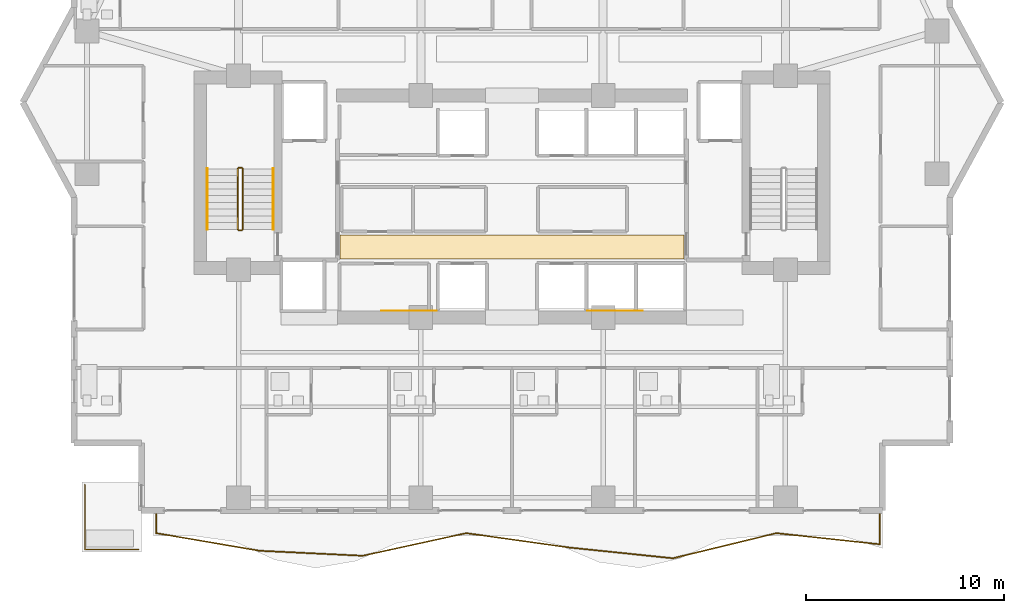
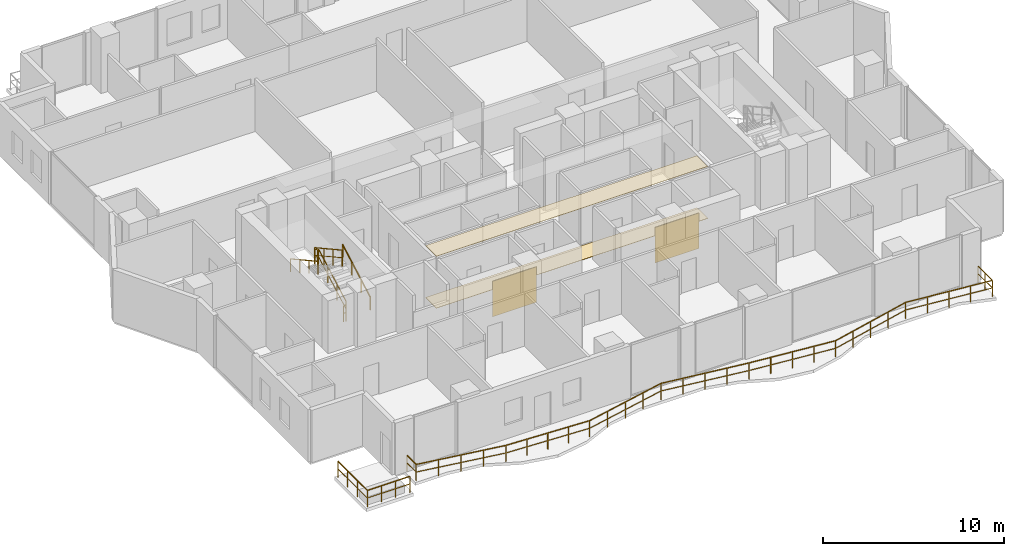
# One storey, part 29 of 32: 8 railings, 4 coverings.
"""IFC4 building model written with IfcOpenShell, lengths in metres."""

from ifc_helpers import new_model, si_unit, direction, frame, origin, origin_2d, place, context, subcontext, project, spatial, polyline, rectangle, outline, extrude, material, layer, layer_set, type_object, element, save


model = new_model("IFC4")

# Units and contexts
model_context = context("Model", 3, precision=1e-05, world=origin(), true_north=direction((0.0, 1.0)))
body_context = subcontext(model_context, "Body", "Model", "MODEL_VIEW")
ifc_project = project(units=[si_unit("LENGTHUNIT", "METRE"), si_unit("AREAUNIT", "SQUARE_METRE"), si_unit("VOLUMEUNIT", "CUBIC_METRE"), si_unit("PLANEANGLEUNIT", "RADIAN"), si_unit("MASSUNIT", "GRAM", prefix="KILO")], contexts=[model_context])

# Site, building, storey
site_placement = place(None, origin())
site = spatial("IfcSite", under=ifc_project, at=site_placement, CompositionType="ELEMENT")
building_placement = place(site_placement, origin())
building = spatial("IfcBuilding", under=site, at=building_placement, Name="Zuhayl Quay Hotel", CompositionType="ELEMENT")
storey_placement = place(building_placement, frame((0.0, 0.0, 188.64990234375)))
storey = spatial("IfcBuildingStorey", under=building, at=storey_placement, Name="L47", CompositionType="ELEMENT", Elevation=188.64990234375)

# Coverings
ifc_material_1 = material(Name="Acoustic Mineral-Fibre Gypsum Board")
ifc_layer_1 = layer(ifc_material_1, 0.02490234375, Name="Acoustic Mineral-Fibre Gypsum Board")
ifc_layer_set_1 = layer_set([ifc_layer_1], Name="Acoustic Mineral-Fibre Gypsum Board")
covering_type_1 = type_object("IfcCoveringType", Name="CV_CEIL_ACOUSTIC", PredefinedType="CEILING", material=ifc_layer_set_1)
covering_1_placement = place(storey_placement, frame((0.0, 0.0, 3.505126953125)))
element("IfcCovering", 1, at=covering_1_placement, inside=storey, type_object=covering_type_1, Name="L47 Suspended Acoustic Lobby Ceiling S", PredefinedType="CEILING", context=body_context, shape_type="SweptSolid", body=[
    extrude(outline(polyline([(-8.679931640625, 5.10009765625), (8.679931640625, 5.10009765625), (8.679931640625, 6.300048828125), (-8.679931640625, 6.300048828125), (-8.679931640625, 5.10009765625)])), origin(), (0.0, 0.0, 1.0), 0.02490234375),
])
ifc_material_2 = material(Name="Polished Limestone Terrazzo", Category="masonry")
ifc_layer_2 = layer(ifc_material_2, 0.02001953125, Name="Polished Limestone Terrazzo", Category="masonry")
ifc_layer_set_2 = layer_set([ifc_layer_2], Name="Polished Limestone Terrazzo")
covering_type_2 = type_object("IfcCoveringType", Name="CV_FLOOR_TERRAZZO", PredefinedType="FLOORING", material=ifc_layer_set_2)
covering_2_placement = place(storey_placement, origin())
element("IfcCovering", 2, at=covering_2_placement, inside=storey, type_object=covering_type_2, Name="L47 Honed Limestone Terrazzo Lobby Flooring S", PredefinedType="FLOORING", context=body_context, shape_type="SweptSolid", body=[
    extrude(outline(polyline([(-8.679931640625, 5.10009765625), (8.679931640625, 5.10009765625), (8.679931640625, 6.300048828125), (-8.679931640625, 6.300048828125), (-8.679931640625, 5.10009765625)])), origin(), (0.0, 0.0, 1.0), 0.02001953125),
])
ifc_material_3 = material(Name="Acoustic Walnut Feature Timber", Category="wood")
ifc_layer_3 = layer(ifc_material_3, 0.02197265625, Name="Acoustic Walnut Feature Timber", Category="wood")
ifc_layer_set_3 = layer_set([ifc_layer_3], Name="Acoustic Walnut Feature Timber")
covering_type_3 = type_object("IfcCoveringType", Name="CV_WALL_CLAD", PredefinedType="CLADDING", material=ifc_layer_set_3)
for number, where, z_axis, x_axis, name in (
    (3, (-5.199951171875, 2.486083984375, 0.300048828125), (0.0, 0.0, 1.0), (1.0, 0.0, 0.0), "L47 Feature Lobby Walnut Wall Cladding W"),
    (4, (5.199951171875, 2.486083984375, 0.300048828125), (0.0, 0.0, 1.0), (1.0, 0.0, 0.0), "L47 Feature Lobby Walnut Wall Cladding E"),
):
    element("IfcCovering", number, at=place(storey_placement, frame(where, z_axis=z_axis, x_axis=x_axis)), inside=storey, type_object=covering_type_3, Name=name, PredefinedType="CLADDING", context=body_context, shape_type="SweptSolid", body=[
        extrude(rectangle(XDim=2.800048828125, YDim=0.02197265625, at=origin_2d()), origin(), (0.0, 0.0, 1.0), 2.39990234375),
    ])

# Railings
ifc_material_4 = material(Name="Anodised Aluminium and Laminated Glass", Category="aluminium")
railing_type_1 = type_object("IfcRailingType", Name="RL_EXT_BAL_1100", PredefinedType="BALUSTRADE", material=ifc_material_4)
railing_1_placement = place(storey_placement, frame((-17.9599609375, -7.719970703125, 0.0)))
element("IfcRailing", 5, at=railing_1_placement, inside=storey, type_object=railing_type_1, Name="L47 Balcony and Terrace Guard GR_L47_BAL_S", PredefinedType="BALUSTRADE", context=body_context, shape_type="SweptSolid", body=[
    extrude(rectangle(XDim=0.048095703125, YDim=0.048095703125, at=origin_2d()), frame((0.0, 0.0, 1.09619140625), z_axis=(0.0, -1.0, 0.0), x_axis=(1.0, 0.0, 0.0)), (0.0, 0.0, 1.0), 1.02001953125),
    extrude(rectangle(XDim=0.0361328125, YDim=0.0361328125, at=origin_2d()), frame((0.0, 0.0, 0.58251953125), z_axis=(0.0, -1.0, 0.0), x_axis=(1.0, 0.0, 0.0)), (0.0, 0.0, 1.0), 1.02001953125),
    extrude(rectangle(XDim=0.048095703125, YDim=0.048095703125, at=origin_2d()), frame((0.0, -1.02001953125, 1.09619140625), z_axis=(0.985785102326, -0.168011106869, 0.0), x_axis=(0.168011106869, 0.985785102326, 0.0)), (0.0, 0.0, 1.0), 5.292236328125),
    extrude(rectangle(XDim=0.0361328125, YDim=0.0361328125, at=origin_2d()), frame((0.0, -1.02001953125, 0.58251953125), z_axis=(0.985785102326, -0.168011106869, 0.0), x_axis=(0.168011106869, 0.985785102326, 0.0)), (0.0, 0.0, 1.0), 5.292236328125),
    extrude(rectangle(XDim=0.048095703125, YDim=0.048095703125, at=origin_2d()), frame((5.217041015625, -1.9091796875, 1.09619140625), z_axis=(0.998838227879, -0.048189153624, 0.0), x_axis=(0.048189153624, 0.998838227879, 0.0)), (0.0, 0.0, 1.0), 5.223388671875),
    extrude(rectangle(XDim=0.0361328125, YDim=0.0361328125, at=origin_2d()), frame((5.217041015625, -1.9091796875, 0.58251953125), z_axis=(0.998838227879, -0.048189153624, 0.0), x_axis=(0.048189153624, 0.998838227879, 0.0)), (0.0, 0.0, 1.0), 5.223388671875),
    extrude(rectangle(XDim=0.048095703125, YDim=0.048095703125, at=origin_2d()), frame((10.434326171875, -2.160888671875, 1.09619140625), z_axis=(0.976914032722, 0.213632798676, 0.0), x_axis=(-0.213632798676, 0.976914032722, 0.0)), (0.0, 0.0, 1.0), 5.34033203125),
    extrude(rectangle(XDim=0.0361328125, YDim=0.0361328125, at=origin_2d()), frame((10.434326171875, -2.160888671875, 0.58251953125), z_axis=(0.976914032722, 0.213632798676, 0.0), x_axis=(-0.213632798676, 0.976914032722, 0.0)), (0.0, 0.0, 1.0), 5.34033203125),
    extrude(rectangle(XDim=0.048095703125, YDim=0.048095703125, at=origin_2d()), frame((15.6513671875, -1.02001953125, 1.09619140625), z_axis=(0.990378619791, -0.138384209579, 0.0), x_axis=(0.138384209579, 0.990378619791, 0.0)), (0.0, 0.0, 1.0), 5.26806640625),
    extrude(rectangle(XDim=0.0361328125, YDim=0.0361328125, at=origin_2d()), frame((15.6513671875, -1.02001953125, 0.58251953125), z_axis=(0.990378619791, -0.138384209579, 0.0), x_axis=(0.138384209579, 0.990378619791, 0.0)), (0.0, 0.0, 1.0), 5.26806640625),
    extrude(rectangle(XDim=0.048095703125, YDim=0.048095703125, at=origin_2d()), frame((20.86865234375, -1.7490234375, 1.09619140625), z_axis=(0.994704108471, -0.102780039848, 0.0), x_axis=(0.102780039848, 0.994704108471, 0.0)), (0.0, 0.0, 1.0), 5.244873046875),
    extrude(rectangle(XDim=0.0361328125, YDim=0.0361328125, at=origin_2d()), frame((20.86865234375, -1.7490234375, 0.58251953125), z_axis=(0.994704108471, -0.102780039848, 0.0), x_axis=(0.102780039848, 0.994704108471, 0.0)), (0.0, 0.0, 1.0), 5.244873046875),
    extrude(rectangle(XDim=0.048095703125, YDim=0.048095703125, at=origin_2d()), frame((26.085693359375, -2.2880859375, 1.09619140625), z_axis=(0.971710486482, 0.236175211361, 0.0), x_axis=(-0.236175211361, 0.971710486482, 0.0)), (0.0, 0.0, 1.0), 5.369140625),
    extrude(rectangle(XDim=0.0361328125, YDim=0.0361328125, at=origin_2d()), frame((26.085693359375, -2.2880859375, 0.58251953125), z_axis=(0.971710486482, 0.236175211361, 0.0), x_axis=(-0.236175211361, 0.971710486482, 0.0)), (0.0, 0.0, 1.0), 5.369140625),
    extrude(rectangle(XDim=0.048095703125, YDim=0.048095703125, at=origin_2d()), frame((31.302978515625, -1.02001953125, 1.09619140625), z_axis=(0.99424260237, -0.107152450431, 0.0), x_axis=(0.107152450431, 0.99424260237, 0.0)), (0.0, 0.0, 1.0), 5.247314453125),
    extrude(rectangle(XDim=0.0361328125, YDim=0.0361328125, at=origin_2d()), frame((31.302978515625, -1.02001953125, 0.58251953125), z_axis=(0.99424260237, -0.107152450431, 0.0), x_axis=(0.107152450431, 0.99424260237, 0.0)), (0.0, 0.0, 1.0), 5.247314453125),
    extrude(rectangle(XDim=0.048095703125, YDim=0.048095703125, at=origin_2d()), frame((36.52001953125, -1.582275390625, 1.09619140625), z_axis=(0.0, 1.0, 0.0), x_axis=(-1.0, 0.0, 0.0)), (0.0, 0.0, 1.0), 1.582275390625),
    extrude(rectangle(XDim=0.0361328125, YDim=0.0361328125, at=origin_2d()), frame((36.52001953125, -1.582275390625, 0.58251953125), z_axis=(0.0, 1.0, 0.0), x_axis=(-1.0, 0.0, 0.0)), (0.0, 0.0, 1.0), 1.582275390625),
    extrude(rectangle(XDim=0.0419921875, YDim=0.0419921875, at=origin_2d()), origin(), (0.0, 0.0, 1.0), 1.072021484375),
    extrude(rectangle(XDim=0.0419921875, YDim=0.0419921875, at=origin_2d()), frame((0.0, -1.02001953125, 0.0)), (0.0, 0.0, 1.0), 1.072021484375),
    extrude(rectangle(XDim=0.0419921875, YDim=0.0419921875, at=origin_2d()), frame((1.30419921875, -1.2421875, 0.0)), (0.0, 0.0, 1.0), 1.072021484375),
    extrude(rectangle(XDim=0.0419921875, YDim=0.0419921875, at=origin_2d()), frame((2.6083984375, -1.464599609375, 0.0)), (0.0, 0.0, 1.0), 1.072021484375),
    extrude(rectangle(XDim=0.0419921875, YDim=0.0419921875, at=origin_2d()), frame((3.912841796875, -1.68701171875, 0.0)), (0.0, 0.0, 1.0), 1.072021484375),
    extrude(rectangle(XDim=0.0419921875, YDim=0.0419921875, at=origin_2d()), frame((5.217041015625, -1.9091796875, 0.0)), (0.0, 0.0, 1.0), 1.072021484375),
    extrude(rectangle(XDim=0.0419921875, YDim=0.0419921875, at=origin_2d()), frame((6.521484375, -1.97216796875, 0.0)), (0.0, 0.0, 1.0), 1.072021484375),
    extrude(rectangle(XDim=0.0419921875, YDim=0.0419921875, at=origin_2d()), frame((7.82568359375, -2.03515625, 0.0)), (0.0, 0.0, 1.0), 1.072021484375),
    extrude(rectangle(XDim=0.0419921875, YDim=0.0419921875, at=origin_2d()), frame((9.1298828125, -2.097900390625, 0.0)), (0.0, 0.0, 1.0), 1.072021484375),
    extrude(rectangle(XDim=0.0419921875, YDim=0.0419921875, at=origin_2d()), frame((10.434326171875, -2.160888671875, 0.0)), (0.0, 0.0, 1.0), 1.072021484375),
    extrude(rectangle(XDim=0.0419921875, YDim=0.0419921875, at=origin_2d()), frame((11.738525390625, -1.875732421875, 0.0)), (0.0, 0.0, 1.0), 1.072021484375),
    extrude(rectangle(XDim=0.0419921875, YDim=0.0419921875, at=origin_2d()), frame((13.04296875, -1.59033203125, 0.0)), (0.0, 0.0, 1.0), 1.072021484375),
    extrude(rectangle(XDim=0.0419921875, YDim=0.0419921875, at=origin_2d()), frame((14.34716796875, -1.30517578125, 0.0)), (0.0, 0.0, 1.0), 1.072021484375),
    extrude(rectangle(XDim=0.0419921875, YDim=0.0419921875, at=origin_2d()), frame((15.6513671875, -1.02001953125, 0.0)), (0.0, 0.0, 1.0), 1.072021484375),
    extrude(rectangle(XDim=0.0419921875, YDim=0.0419921875, at=origin_2d()), frame((16.95556640625, -1.2021484375, 0.0)), (0.0, 0.0, 1.0), 1.072021484375),
    extrude(rectangle(XDim=0.0419921875, YDim=0.0419921875, at=origin_2d()), frame((18.260009765625, -1.384521484375, 0.0)), (0.0, 0.0, 1.0), 1.072021484375),
    extrude(rectangle(XDim=0.0419921875, YDim=0.0419921875, at=origin_2d()), frame((19.564453125, -1.56689453125, 0.0)), (0.0, 0.0, 1.0), 1.072021484375),
    extrude(rectangle(XDim=0.0419921875, YDim=0.0419921875, at=origin_2d()), frame((20.86865234375, -1.7490234375, 0.0)), (0.0, 0.0, 1.0), 1.072021484375),
    extrude(rectangle(XDim=0.0419921875, YDim=0.0419921875, at=origin_2d()), frame((22.1728515625, -1.8837890625, 0.0)), (0.0, 0.0, 1.0), 1.072021484375),
    extrude(rectangle(XDim=0.0419921875, YDim=0.0419921875, at=origin_2d()), frame((23.47705078125, -2.0185546875, 0.0)), (0.0, 0.0, 1.0), 1.072021484375),
    extrude(rectangle(XDim=0.0419921875, YDim=0.0419921875, at=origin_2d()), frame((24.781494140625, -2.1533203125, 0.0)), (0.0, 0.0, 1.0), 1.072021484375),
    extrude(rectangle(XDim=0.0419921875, YDim=0.0419921875, at=origin_2d()), frame((26.085693359375, -2.2880859375, 0.0)), (0.0, 0.0, 1.0), 1.072021484375),
    extrude(rectangle(XDim=0.0419921875, YDim=0.0419921875, at=origin_2d()), frame((27.39013671875, -1.97119140625, 0.0)), (0.0, 0.0, 1.0), 1.072021484375),
    extrude(rectangle(XDim=0.0419921875, YDim=0.0419921875, at=origin_2d()), frame((28.6943359375, -1.654052734375, 0.0)), (0.0, 0.0, 1.0), 1.072021484375),
    extrude(rectangle(XDim=0.0419921875, YDim=0.0419921875, at=origin_2d()), frame((29.99853515625, -1.3369140625, 0.0)), (0.0, 0.0, 1.0), 1.072021484375),
    extrude(rectangle(XDim=0.0419921875, YDim=0.0419921875, at=origin_2d()), frame((31.302978515625, -1.02001953125, 0.0)), (0.0, 0.0, 1.0), 1.072021484375),
    extrude(rectangle(XDim=0.0419921875, YDim=0.0419921875, at=origin_2d()), frame((32.607177734375, -1.16064453125, 0.0)), (0.0, 0.0, 1.0), 1.072021484375),
    extrude(rectangle(XDim=0.0419921875, YDim=0.0419921875, at=origin_2d()), frame((33.91162109375, -1.30126953125, 0.0)), (0.0, 0.0, 1.0), 1.072021484375),
    extrude(rectangle(XDim=0.0419921875, YDim=0.0419921875, at=origin_2d()), frame((35.2158203125, -1.441650390625, 0.0)), (0.0, 0.0, 1.0), 1.072021484375),
    extrude(rectangle(XDim=0.0419921875, YDim=0.0419921875, at=origin_2d()), frame((36.52001953125, -1.582275390625, 0.0)), (0.0, 0.0, 1.0), 1.072021484375),
    extrude(rectangle(XDim=0.0419921875, YDim=0.0419921875, at=origin_2d()), frame((36.52001953125, -0.791015625, 0.0)), (0.0, 0.0, 1.0), 1.072021484375),
    extrude(rectangle(XDim=0.0419921875, YDim=0.0419921875, at=origin_2d()), frame((36.52001953125, 0.0, 0.0)), (0.0, 0.0, 1.0), 1.072021484375),
])
railing_2_placement = place(storey_placement, frame((-21.56005859375, -6.2900390625, 0.0)))
element("IfcRailing", 6, at=railing_2_placement, inside=storey, type_object=railing_type_1, Name="L47 Balcony and Terrace Guard GR_L47_SPIRAL_SW", PredefinedType="BALUSTRADE", context=body_context, shape_type="SweptSolid", body=[
    extrude(rectangle(XDim=0.048095703125, YDim=0.048095703125, at=origin_2d()), frame((0.0, 0.0, 1.09619140625), z_axis=(0.0, -1.0, 0.0), x_axis=(1.0, 0.0, 0.0)), (0.0, 0.0, 1.0), 3.27001953125),
    extrude(rectangle(XDim=0.0361328125, YDim=0.0361328125, at=origin_2d()), frame((0.0, 0.0, 0.58251953125), z_axis=(0.0, -1.0, 0.0), x_axis=(1.0, 0.0, 0.0)), (0.0, 0.0, 1.0), 3.27001953125),
    extrude(rectangle(XDim=0.048095703125, YDim=0.048095703125, at=origin_2d()), frame((0.0, -3.27001953125, 1.09619140625), z_axis=(1.0, 0.0, 0.0), x_axis=(0.0, 1.0, 0.0)), (0.0, 0.0, 1.0), 2.719970703125),
    extrude(rectangle(XDim=0.0361328125, YDim=0.0361328125, at=origin_2d()), frame((0.0, -3.27001953125, 0.58251953125), z_axis=(1.0, 0.0, 0.0), x_axis=(0.0, 1.0, 0.0)), (0.0, 0.0, 1.0), 2.719970703125),
    extrude(rectangle(XDim=0.0419921875, YDim=0.0419921875, at=origin_2d()), origin(), (0.0, 0.0, 1.0), 1.072021484375),
    extrude(rectangle(XDim=0.0419921875, YDim=0.0419921875, at=origin_2d()), frame((0.0, -1.090087890625, 0.0)), (0.0, 0.0, 1.0), 1.072021484375),
    extrude(rectangle(XDim=0.0419921875, YDim=0.0419921875, at=origin_2d()), frame((0.0, -2.179931640625, 0.0)), (0.0, 0.0, 1.0), 1.072021484375),
    extrude(rectangle(XDim=0.0419921875, YDim=0.0419921875, at=origin_2d()), frame((0.0, -3.27001953125, 0.0)), (0.0, 0.0, 1.0), 1.072021484375),
    extrude(rectangle(XDim=0.0419921875, YDim=0.0419921875, at=origin_2d()), frame((0.90673828125, -3.27001953125, 0.0)), (0.0, 0.0, 1.0), 1.072021484375),
    extrude(rectangle(XDim=0.0419921875, YDim=0.0419921875, at=origin_2d()), frame((1.813232421875, -3.27001953125, 0.0)), (0.0, 0.0, 1.0), 1.072021484375),
    extrude(rectangle(XDim=0.0419921875, YDim=0.0419921875, at=origin_2d()), frame((2.719970703125, -3.27001953125, 0.0)), (0.0, 0.0, 1.0), 1.072021484375),
])
ifc_material_5 = material(Name="Steel ASTM A992 Grade 50", Category="steel")
railing_type_2 = type_object("IfcRailingType", Name="RL_GUARD_1100", PredefinedType="GUARDRAIL", material=ifc_material_5)
railing_3_placement = place(storey_placement, frame((-13.590087890625, 6.590087890625, 0.1875)))
element("IfcRailing", 7, at=railing_3_placement, inside=storey, type_object=railing_type_2, Name="L47 ST1 stair guard 1", PredefinedType="GUARDRAIL", context=body_context, shape_type="SweptSolid", body=[
    extrude(rectangle(XDim=0.048095703125, YDim=0.048095703125, at=origin_2d()), frame((0.0, 0.0, 1.09619140625), z_axis=(0.0, 0.875659195171, 0.482929574485), x_axis=(-1.0, 0.0, 0.0)), (0.0, 0.0, 1.0), 3.494384765625),
    extrude(rectangle(XDim=0.0361328125, YDim=0.0361328125, at=origin_2d()), frame((0.0, 0.0, 0.58251953125), z_axis=(0.0, 0.875659195171, 0.482929574485), x_axis=(-1.0, 0.0, 0.0)), (0.0, 0.0, 1.0), 3.494384765625),
    extrude(rectangle(XDim=0.0419921875, YDim=0.0419921875, at=origin_2d()), origin(), (0.0, 0.0, 1.0), 1.072021484375),
    extrude(rectangle(XDim=0.0419921875, YDim=0.0419921875, at=origin_2d()), frame((0.0, 1.02001953125, 0.5625)), (0.0, 0.0, 1.0), 1.072021484375),
    extrude(rectangle(XDim=0.0419921875, YDim=0.0419921875, at=origin_2d()), frame((0.0, 2.039794921875, 1.125)), (0.0, 0.0, 1.0), 1.072021484375),
    extrude(rectangle(XDim=0.0419921875, YDim=0.0419921875, at=origin_2d()), frame((0.0, 3.059814453125, 1.6875)), (0.0, 0.0, 1.0), 1.072021484375),
])
railing_4_placement = place(storey_placement, frame((-13.639892578125, 9.699951171875, 1.875)))
element("IfcRailing", 8, at=railing_4_placement, inside=storey, type_object=railing_type_2, Name="L47 ST1 stair guard 2", PredefinedType="GUARDRAIL", context=body_context, shape_type="SweptSolid", body=[
    extrude(rectangle(XDim=0.048095703125, YDim=0.048095703125, at=origin_2d()), frame((0.0, 0.0, 1.09619140625), z_axis=(-1.0, 0.0, 0.0), x_axis=(0.0, -1.0, 0.0)), (0.0, 0.0, 1.0), 0.150146484375),
    extrude(rectangle(XDim=0.0361328125, YDim=0.0361328125, at=origin_2d()), frame((0.0, 0.0, 0.58251953125), z_axis=(-1.0, 0.0, 0.0), x_axis=(0.0, -1.0, 0.0)), (0.0, 0.0, 1.0), 0.150146484375),
    extrude(rectangle(XDim=0.0419921875, YDim=0.0419921875, at=origin_2d()), origin(), (0.0, 0.0, 1.0), 1.072021484375),
    extrude(rectangle(XDim=0.0419921875, YDim=0.0419921875, at=origin_2d()), frame((-0.150146484375, 0.0, 0.0)), (0.0, 0.0, 1.0), 1.072021484375),
])
railing_5_placement = place(storey_placement, frame((-13.840087890625, 9.64990234375, 2.0625)))
element("IfcRailing", 9, at=railing_5_placement, inside=storey, type_object=railing_type_2, Name="L47 ST1 stair guard 3", PredefinedType="GUARDRAIL", context=body_context, shape_type="SweptSolid", body=[
    extrude(rectangle(XDim=0.048095703125, YDim=0.048095703125, at=origin_2d()), frame((0.0, 0.0, 1.09619140625), z_axis=(0.0, -0.875659195171, 0.482929574485), x_axis=(1.0, 0.0, 0.0)), (0.0, 0.0, 1.0), 3.494384765625),
    extrude(rectangle(XDim=0.0361328125, YDim=0.0361328125, at=origin_2d()), frame((0.0, 0.0, 0.58251953125), z_axis=(0.0, -0.875659195171, 0.482929574485), x_axis=(1.0, 0.0, 0.0)), (0.0, 0.0, 1.0), 3.494384765625),
    extrude(rectangle(XDim=0.0419921875, YDim=0.0419921875, at=origin_2d()), origin(), (0.0, 0.0, 1.0), 1.072021484375),
    extrude(rectangle(XDim=0.0419921875, YDim=0.0419921875, at=origin_2d()), frame((0.0, -1.02001953125, 0.5625)), (0.0, 0.0, 1.0), 1.072021484375),
    extrude(rectangle(XDim=0.0419921875, YDim=0.0419921875, at=origin_2d()), frame((0.0, -2.039794921875, 1.125)), (0.0, 0.0, 1.0), 1.072021484375),
    extrude(rectangle(XDim=0.0419921875, YDim=0.0419921875, at=origin_2d()), frame((0.0, -3.059814453125, 1.6875)), (0.0, 0.0, 1.0), 1.072021484375),
])
railing_6_placement = place(storey_placement, frame((-13.639892578125, 6.5400390625, 0.0)))
element("IfcRailing", 10, at=railing_6_placement, inside=storey, type_object=railing_type_2, Name="L47 ST1 stair guard 4", PredefinedType="GUARDRAIL", context=body_context, shape_type="SweptSolid", body=[
    extrude(rectangle(XDim=0.048095703125, YDim=0.048095703125, at=origin_2d()), frame((0.0, 0.0, 1.09619140625), z_axis=(-1.0, 0.0, 0.0), x_axis=(0.0, -1.0, 0.0)), (0.0, 0.0, 1.0), 0.150146484375),
    extrude(rectangle(XDim=0.0361328125, YDim=0.0361328125, at=origin_2d()), frame((0.0, 0.0, 0.58251953125), z_axis=(-1.0, 0.0, 0.0), x_axis=(0.0, -1.0, 0.0)), (0.0, 0.0, 1.0), 0.150146484375),
    extrude(rectangle(XDim=0.0419921875, YDim=0.0419921875, at=origin_2d()), origin(), (0.0, 0.0, 1.0), 1.072021484375),
    extrude(rectangle(XDim=0.0419921875, YDim=0.0419921875, at=origin_2d()), frame((-0.150146484375, 0.0, 0.0)), (0.0, 0.0, 1.0), 1.072021484375),
])
railing_type_3 = type_object("IfcRailingType", Name="RL_HANDRAIL_920", PredefinedType="HANDRAIL", material=ifc_material_5)
railing_7_placement = place(storey_placement, frame((-12.050048828125, 6.590087890625, 0.1875)))
element("IfcRailing", 11, at=railing_7_placement, inside=storey, type_object=railing_type_3, Name="L47 ST1 stair handrail 1", PredefinedType="HANDRAIL", context=body_context, shape_type="SweptSolid", body=[
    extrude(rectangle(XDim=0.048095703125, YDim=0.048095703125, at=origin_2d()), frame((0.0, 0.0, 0.8759765625), z_axis=(0.0, 0.875659195171, 0.482929574485), x_axis=(-1.0, 0.0, 0.0)), (0.0, 0.0, 1.0), 3.494384765625),
    extrude(rectangle(XDim=0.0419921875, YDim=0.0419921875, at=origin_2d()), origin(), (0.0, 0.0, 1.0), 0.851806640625),
    extrude(rectangle(XDim=0.0419921875, YDim=0.0419921875, at=origin_2d()), frame((0.0, 1.02001953125, 0.5625)), (0.0, 0.0, 1.0), 0.851806640625),
    extrude(rectangle(XDim=0.0419921875, YDim=0.0419921875, at=origin_2d()), frame((0.0, 2.039794921875, 1.125)), (0.0, 0.0, 1.0), 0.851806640625),
    extrude(rectangle(XDim=0.0419921875, YDim=0.0419921875, at=origin_2d()), frame((0.0, 3.059814453125, 1.6875)), (0.0, 0.0, 1.0), 0.851806640625),
])
railing_8_placement = place(storey_placement, frame((-15.3798828125, 9.64990234375, 2.0625)))
element("IfcRailing", 12, at=railing_8_placement, inside=storey, type_object=railing_type_3, Name="L47 ST1 stair handrail 2", PredefinedType="HANDRAIL", context=body_context, shape_type="SweptSolid", body=[
    extrude(rectangle(XDim=0.048095703125, YDim=0.048095703125, at=origin_2d()), frame((0.0, 0.0, 0.8759765625), z_axis=(0.0, -0.875659195171, 0.482929574485), x_axis=(1.0, 0.0, 0.0)), (0.0, 0.0, 1.0), 3.494384765625),
    extrude(rectangle(XDim=0.0419921875, YDim=0.0419921875, at=origin_2d()), origin(), (0.0, 0.0, 1.0), 0.851806640625),
    extrude(rectangle(XDim=0.0419921875, YDim=0.0419921875, at=origin_2d()), frame((0.0, -1.02001953125, 0.5625)), (0.0, 0.0, 1.0), 0.851806640625),
    extrude(rectangle(XDim=0.0419921875, YDim=0.0419921875, at=origin_2d()), frame((0.0, -2.039794921875, 1.125)), (0.0, 0.0, 1.0), 0.851806640625),
    extrude(rectangle(XDim=0.0419921875, YDim=0.0419921875, at=origin_2d()), frame((0.0, -3.059814453125, 1.6875)), (0.0, 0.0, 1.0), 0.851806640625),
])

save(model, "model.ifc")
